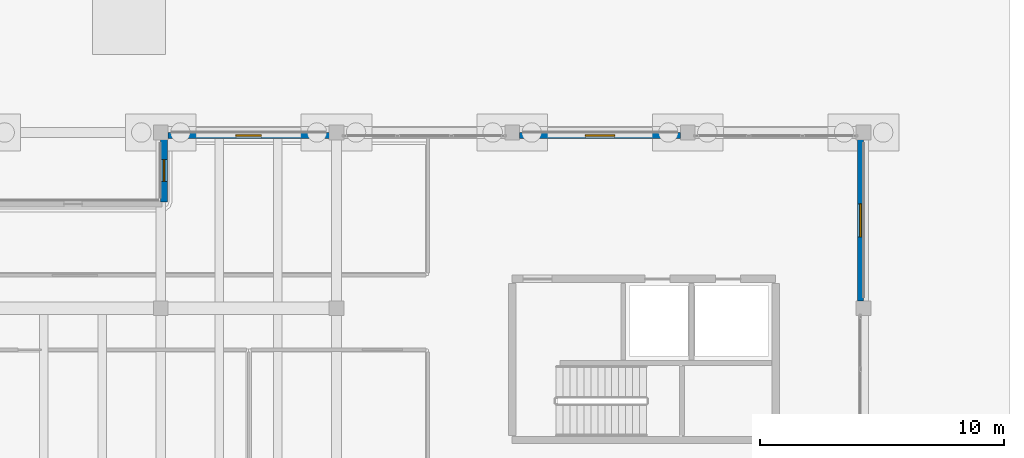
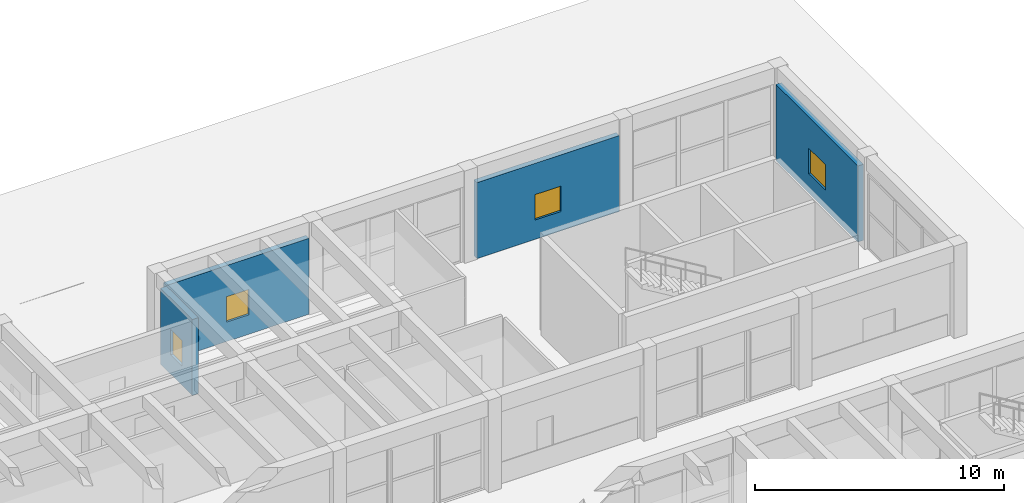
# One storey, part 126 of 155: 4 walls, 4 windows, 4 openings.
"""IFC4 building model written with IfcOpenShell, lengths in metres."""

from ifc_helpers import new_model, si_unit, direction, frame, frame_2d, origin, place, context, subcontext, project, spatial, rectangle, extrude, material, layer, layer_set, type_object, element, fill, save


model = new_model("IFC4")

# Units and contexts
model_context = context("Model", 3, precision=1e-05, world=origin(), true_north=direction((0.0, 1.0)))
body_context = subcontext(model_context, "Body", "Model", "MODEL_VIEW")
ifc_project = project(units=[si_unit("LENGTHUNIT", "METRE"), si_unit("AREAUNIT", "SQUARE_METRE"), si_unit("VOLUMEUNIT", "CUBIC_METRE"), si_unit("PLANEANGLEUNIT", "RADIAN"), si_unit("MASSUNIT", "GRAM", prefix="KILO")], contexts=[model_context])

# Site, building, storey
site_placement = place(None, origin())
site = spatial("IfcSite", under=ifc_project, at=site_placement, CompositionType="ELEMENT")
building_placement = place(site_placement, origin())
building = spatial("IfcBuilding", under=site, at=building_placement, Name="Bramvelor Terrace Health Centre", CompositionType="ELEMENT")
storey_placement = place(building_placement, origin())
storey = spatial("IfcBuildingStorey", under=building, at=storey_placement, Name="L01", CompositionType="ELEMENT", Elevation=0.0)

# Wall, opening, window
ifc_material_1 = material(Name="Precast concrete C40/50", Category="concrete")
ifc_layer_1 = layer(ifc_material_1, 0.25)
ifc_layer_set_1 = layer_set([ifc_layer_1], Name="Precast concrete C40/50")
wall_type_1 = type_object("IfcWallType", Name="WL-EXT-RC250", PredefinedType="SOLIDWALL", material=ifc_layer_set_1)
wall_1_placement = place(storey_placement, frame((65.094970703125, 100.669921875, 0.0), z_axis=(0.0, 0.0, 1.0), x_axis=(1.0, 0.0, 0.0)))
wall_1 = element("IfcWall", 1, at=wall_1_placement, inside=storey, type_object=wall_type_1, Name="L01 Exterior Facade Wall 55", PredefinedType="SOLIDWALL", context=body_context, shape_type="SweptSolid", body=[
    extrude(rectangle(XDim=6.610107421875, YDim=0.25, at=frame_2d((3.30517578125, 0.0))), origin(), (0.0, 0.0, 1.0), 3.72998046875),
])
opening_1_placement = place(wall_1_placement, frame((2.780029296875, 0.0, 0.949951171875)))
opening_1 = element("IfcOpeningElement", 2, at=opening_1_placement, cuts=wall_1, Name="Opening WN-27", PredefinedType="OPENING", context=body_context, shape_type="SweptSolid", body=[
    extrude(rectangle(XDim=1.050048828125, YDim=1.25, at=frame_2d((0.52490234375, 0.625))), frame((0.0, 0.135009765625, 0.0), z_axis=(0.0, -1.0, 0.0), x_axis=(1.0, 0.0, 0.0)), (0.0, 0.0, 1.0), 0.27001953125),
])
ifc_material_2 = material(Name="Double low-E laminated glass", Category="glass")
window_type_1 = type_object("IfcWindowType", Name="WIN-EXT-27", PartitioningType="SINGLE_PANEL", PredefinedType="WINDOW", material=ifc_material_2)
window_1_placement = place(opening_1_placement, origin())
window_1 = element("IfcWindow", 3, at=window_1_placement, inside=storey, type_object=window_type_1, Name="L01 Scheduled Clinical Window 27", OverallHeight=1.25, OverallWidth=1.050048828125, PartitioningType="SINGLE_PANEL", PredefinedType="WINDOW", context=body_context, shape_type="SweptSolid", body=[
    extrude(rectangle(XDim=1.050048828125, YDim=1.25, at=frame_2d((0.52490234375, 0.625))), frame((0.0, 0.030029296875, 0.0), z_axis=(0.0, -1.0, 0.0), x_axis=(1.0, 0.0, 0.0)), (0.0, 0.0, 1.0), 0.06005859375),
])
fill(opening_1, window_1)

wall_2_placement = place(storey_placement, frame((79.4951171875, 100.669921875, 0.0), z_axis=(0.0, 0.0, 1.0), x_axis=(1.0, 0.0, 0.0)))
wall_2 = element("IfcWall", 4, at=wall_2_placement, inside=storey, type_object=wall_type_1, Name="L01 Exterior Facade Wall 57", PredefinedType="SOLIDWALL", context=body_context, shape_type="SweptSolid", body=[
    extrude(rectangle(XDim=6.60986328125, YDim=0.25, at=frame_2d((3.304931640625, 0.0))), origin(), (0.0, 0.0, 1.0), 3.72998046875),
])
opening_2_placement = place(wall_2_placement, frame((2.705078125, 0.0, 0.949951171875)))
opening_2 = element("IfcOpeningElement", 5, at=opening_2_placement, cuts=wall_2, Name="Opening WN-28", PredefinedType="OPENING", context=body_context, shape_type="SweptSolid", body=[
    extrude(rectangle(XDim=1.199951171875, YDim=1.25, at=frame_2d((0.60009765625, 0.625))), frame((0.0, 0.135009765625, 0.0), z_axis=(0.0, -1.0, 0.0), x_axis=(1.0, 0.0, 0.0)), (0.0, 0.0, 1.0), 0.27001953125),
])
ifc_material_3 = material(Name="Double low-E laminated glass", Category="glass")
window_type_2 = type_object("IfcWindowType", Name="WIN-EXT-28", PartitioningType="SINGLE_PANEL", PredefinedType="WINDOW", material=ifc_material_3)
window_2_placement = place(opening_2_placement, origin())
window_2 = element("IfcWindow", 6, at=window_2_placement, inside=storey, type_object=window_type_2, Name="L01 Scheduled Clinical Window 28", OverallHeight=1.25, OverallWidth=1.199951171875, PartitioningType="SINGLE_PANEL", PredefinedType="WINDOW", context=body_context, shape_type="SweptSolid", body=[
    extrude(rectangle(XDim=1.199951171875, YDim=1.25, at=frame_2d((0.60009765625, 0.625))), frame((0.0, 0.030029296875, 0.0), z_axis=(0.0, -1.0, 0.0), x_axis=(1.0, 0.0, 0.0)), (0.0, 0.0, 1.0), 0.06005859375),
])
fill(opening_2, window_2)

wall_3_placement = place(storey_placement, frame((93.469970703125, 100.5048828125, 0.0), z_axis=(0.0, 0.0, 1.0), x_axis=(0.0, -1.0, 0.0)))
wall_3 = element("IfcWall", 7, at=wall_3_placement, inside=storey, type_object=wall_type_1, Name="L01 Exterior Facade Wall 59", PredefinedType="SOLIDWALL", context=body_context, shape_type="SweptSolid", body=[
    extrude(rectangle(XDim=6.60986328125, YDim=0.25, at=frame_2d((3.304931640625, 0.0))), origin(), (0.0, 0.0, 1.0), 3.72998046875),
])
opening_3_placement = place(wall_3_placement, frame((2.6298828125, 0.0, 0.949951171875)))
opening_3 = element("IfcOpeningElement", 8, at=opening_3_placement, cuts=wall_3, Name="Opening WN-29", PredefinedType="OPENING", context=body_context, shape_type="SweptSolid", body=[
    extrude(rectangle(XDim=1.35009765625, YDim=1.25, at=frame_2d((0.675048828125, 0.625))), frame((0.0, 0.135009765625, 0.0), z_axis=(0.0, -1.0, 0.0), x_axis=(1.0, 0.0, 0.0)), (0.0, 0.0, 1.0), 0.27001953125),
])
ifc_material_4 = material(Name="Double low-E laminated glass", Category="glass")
window_type_3 = type_object("IfcWindowType", Name="WIN-EXT-29", PartitioningType="SINGLE_PANEL", PredefinedType="WINDOW", material=ifc_material_4)
window_3_placement = place(opening_3_placement, origin())
window_3 = element("IfcWindow", 9, at=window_3_placement, inside=storey, type_object=window_type_3, Name="L01 Scheduled Clinical Window 29", OverallHeight=1.25, OverallWidth=1.35009765625, PartitioningType="SINGLE_PANEL", PredefinedType="WINDOW", context=body_context, shape_type="SweptSolid", body=[
    extrude(rectangle(XDim=1.35009765625, YDim=1.25, at=frame_2d((0.675048828125, 0.625))), frame((0.0, 0.030029296875, 0.0), z_axis=(0.0, -1.0, 0.0), x_axis=(1.0, 0.0, 0.0)), (0.0, 0.0, 1.0), 0.06005859375),
])
fill(opening_3, window_3)

ifc_material_5 = material(Name="Precast concrete C40/50", Category="concrete")
ifc_layer_2 = layer(ifc_material_5, 0.280029296875)
ifc_layer_set_2 = layer_set([ifc_layer_2], Name="Precast concrete C40/50")
wall_type_2 = type_object("IfcWallType", Name="WL-EXT-RC280", PredefinedType="SOLIDWALL", material=ifc_layer_set_2)
wall_4_placement = place(storey_placement, frame((64.929931640625, 97.958984375, 0.0), z_axis=(0.0, 0.0, 1.0), x_axis=(0.0, 1.0, 0.0)))
wall_4 = element("IfcWall", 10, at=wall_4_placement, inside=storey, type_object=wall_type_2, Name="L01 Exterior Facade Wall 54", PredefinedType="SOLIDWALL", context=body_context, shape_type="SweptSolid", body=[
    extrude(rectangle(XDim=2.5458984375, YDim=0.280029296875, at=frame_2d((1.27294921875, 0.0))), origin(), (0.0, 0.0, 1.0), 3.72998046875),
])
opening_4_placement = place(wall_4_placement, frame((0.83349609375, 0.0, 0.949951171875)))
opening_4 = element("IfcOpeningElement", 11, at=opening_4_placement, cuts=wall_4, Name="Opening WN-26", PredefinedType="OPENING", context=body_context, shape_type="SweptSolid", body=[
    extrude(rectangle(XDim=0.89990234375, YDim=1.25, at=frame_2d((0.449951171875, 0.625))), frame((0.0, 0.14990234375, 0.0), z_axis=(0.0, -1.0, 0.0), x_axis=(1.0, 0.0, 0.0)), (0.0, 0.0, 1.0), 0.300048828125),
])
ifc_material_6 = material(Name="Double low-E laminated glass", Category="glass")
window_type_4 = type_object("IfcWindowType", Name="WIN-EXT-26", PartitioningType="SINGLE_PANEL", PredefinedType="WINDOW", material=ifc_material_6)
window_4_placement = place(opening_4_placement, origin())
window_4 = element("IfcWindow", 12, at=window_4_placement, inside=storey, type_object=window_type_4, Name="L01 Scheduled Clinical Window 26", OverallHeight=1.25, OverallWidth=0.89990234375, PartitioningType="SINGLE_PANEL", PredefinedType="WINDOW", context=body_context, shape_type="SweptSolid", body=[
    extrude(rectangle(XDim=0.89990234375, YDim=1.25, at=frame_2d((0.449951171875, 0.625))), frame((0.0, 0.030029296875, 0.0), z_axis=(0.0, -1.0, 0.0), x_axis=(1.0, 0.0, 0.0)), (0.0, 0.0, 1.0), 0.06005859375),
])
fill(opening_4, window_4)

save(model, "model.ifc")
